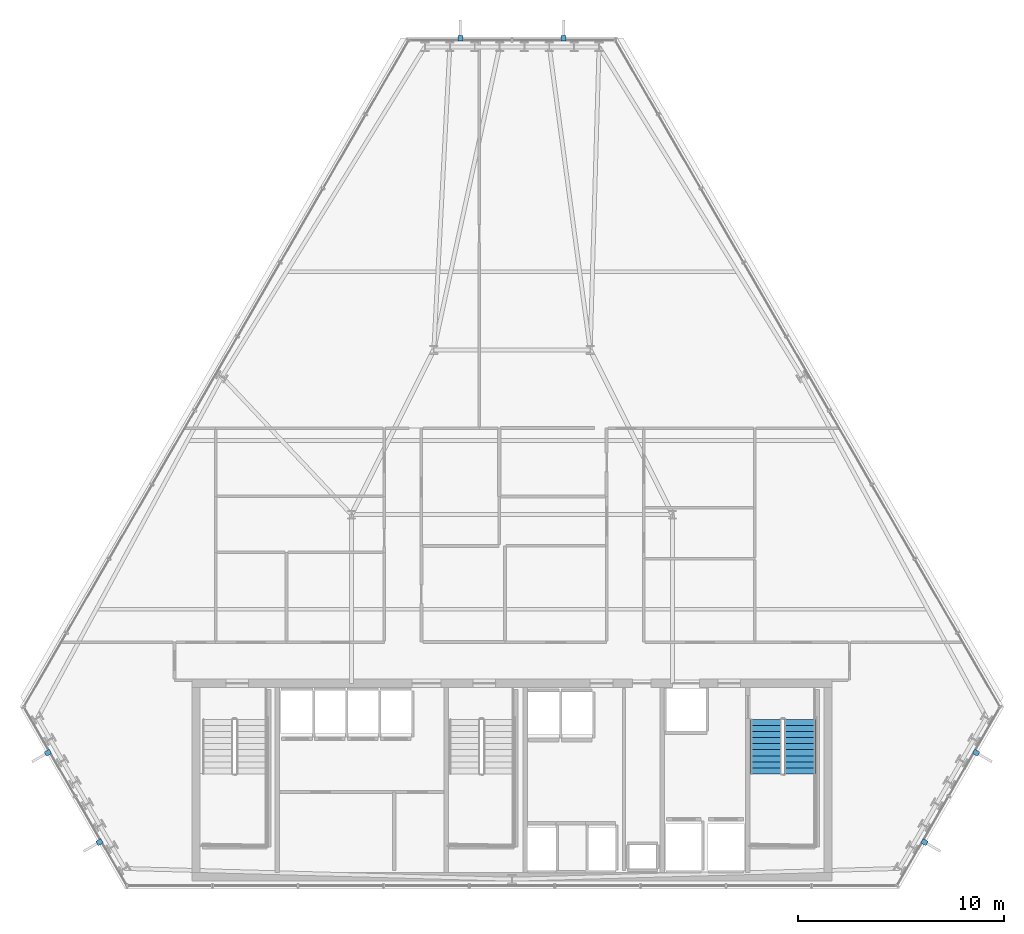
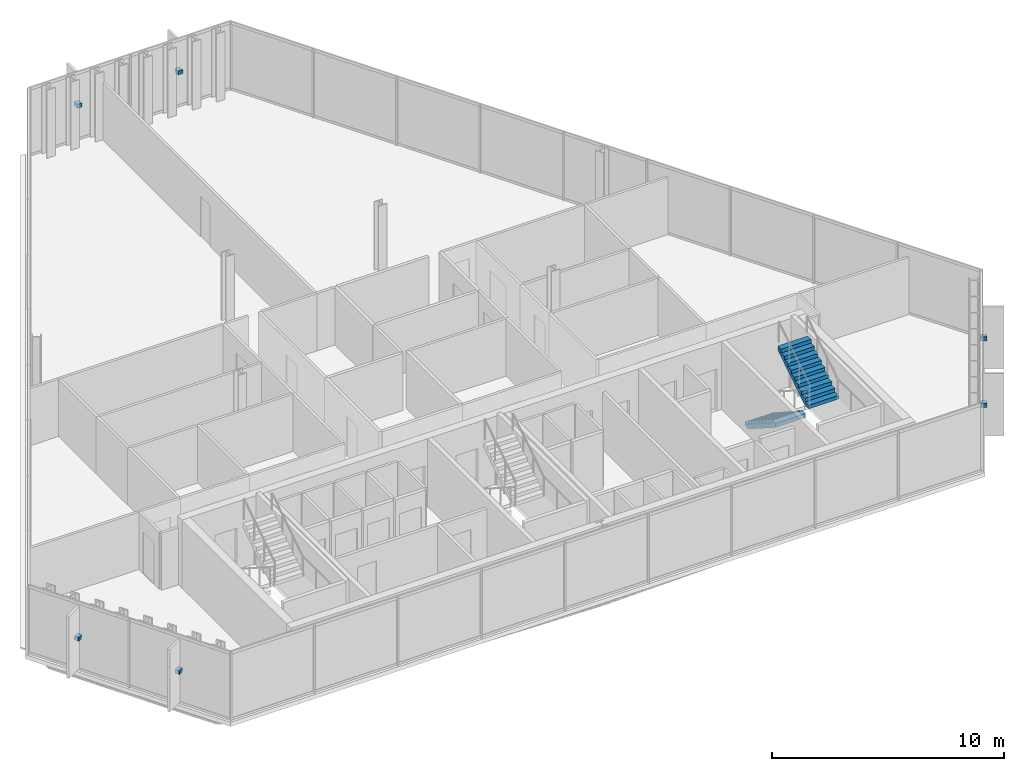
# One storey, part 31 of 35: 6 discrete accessories, 2 stair flights, 1 element without a shape of its own.
"""IFC4 building model written with IfcOpenShell, lengths in metres."""

from ifc_helpers import new_model, si_unit, direction, frame, origin, origin_2d, place, context, subcontext, project, spatial, polyline, rectangle, outline, extrude, material, type_object, element, aggregate, save


model = new_model("IFC4")

# Units and contexts
model_context = context("Model", 3, precision=1e-05, world=origin(), true_north=direction((0.0, 1.0)))
body_context = subcontext(model_context, "Body", "Model", "MODEL_VIEW")
ifc_project = project(units=[si_unit("LENGTHUNIT", "METRE"), si_unit("AREAUNIT", "SQUARE_METRE"), si_unit("VOLUMEUNIT", "CUBIC_METRE"), si_unit("PLANEANGLEUNIT", "RADIAN"), si_unit("MASSUNIT", "GRAM", prefix="KILO")], contexts=[model_context])

# Site, building, storey
site_placement = place(None, origin())
site = spatial("IfcSite", under=ifc_project, at=site_placement, CompositionType="ELEMENT")
building_placement = place(site_placement, origin())
building = spatial("IfcBuilding", under=site, at=building_placement, Name="Ndaravel Arena Tower", CompositionType="ELEMENT")
storey_placement = place(building_placement, frame((0.0, 0.0, 172.60009765625)))
storey = spatial("IfcBuildingStorey", under=building, at=storey_placement, Name="L41", CompositionType="ELEMENT", Elevation=172.60009765625)

# Stair, stair flights
ifc_material_1 = material(Name="Concrete C40/50", Category="concrete")
stair_type = type_object("IfcStairType", Name="STAIR-CORE-HT", PredefinedType="HALF_TURN_STAIR", material=ifc_material_1)
stair_placement = place(storey_placement, origin())
stair = element("IfcStair", 1, at=stair_placement, inside=storey, type_object=stair_type, Name="L41 ST-3", PredefinedType="HALF_TURN_STAIR")
ifc_material_2 = material(Name="Concrete C40/50", Category="concrete")
stair_flight_type = type_object("IfcStairFlightType", Name="SFLIGHT-CORE-1680", PredefinedType="STRAIGHT", material=ifc_material_2)
stair_flight_1_placement = place(storey_placement, frame((54.35009765625, 13.25, 0.0), z_axis=(0.0, 0.0, 1.0), x_axis=(0.0, -1.0, 0.0)))
stair_flight_1 = element("IfcStairFlight", 2, at=stair_flight_1_placement, type_object=stair_flight_type, Name="ST-3 flight 1", NumberOfRisers=10, NumberOfTreads=9, PredefinedType="STRAIGHT", RiserHeight=0.19, TreadLength=0.295, context=body_context, shape_type="SweptSolid", body=[
    extrude(outline(polyline([(0.0, 0.0), (0.0, 0.18994140625), (0.294921875, 0.18994140625), (0.294921875, 0.3798828125), (0.590087890625, 0.3798828125), (0.590087890625, 0.570068359375), (0.885009765625, 0.570068359375), (0.885009765625, 0.760009765625), (1.179931640625, 0.760009765625), (1.179931640625, 0.949951171875), (1.47509765625, 0.949951171875), (1.47509765625, 1.139892578125), (1.77001953125, 1.139892578125), (1.77001953125, 1.330078125), (2.06494140625, 1.330078125), (2.06494140625, 1.52001953125), (2.360107421875, 1.52001953125), (2.360107421875, 1.7099609375), (2.655029296875, 1.7099609375), (2.655029296875, 1.89990234375), (2.655029296875, 1.49609375), (0.332275390625, 0.0), (0.0, 0.0)])), frame((0.0, 0.75, 0.0), z_axis=(0.0, -1.0, 0.0), x_axis=(1.0, 0.0, 0.0)), (0.0, 0.0, 1.0), 1.5),
])
stair_flight_2_placement = place(storey_placement, frame((55.989990234375, 10.594970703125, 1.89990234375), z_axis=(0.0, 0.0, 1.0), x_axis=(0.0, 1.0, 0.0)))
stair_flight_2 = element("IfcStairFlight", 3, at=stair_flight_2_placement, type_object=stair_flight_type, Name="ST-3 flight 2", NumberOfRisers=10, NumberOfTreads=9, PredefinedType="STRAIGHT", RiserHeight=0.19, TreadLength=0.295, context=body_context, shape_type="SweptSolid", body=[
    extrude(outline(polyline([(0.0, 0.0), (0.0, 0.18994140625), (0.294921875, 0.18994140625), (0.294921875, 0.3798828125), (0.590087890625, 0.3798828125), (0.590087890625, 0.570068359375), (0.885009765625, 0.570068359375), (0.885009765625, 0.760009765625), (1.179931640625, 0.760009765625), (1.179931640625, 0.949951171875), (1.47509765625, 0.949951171875), (1.47509765625, 1.139892578125), (1.77001953125, 1.139892578125), (1.77001953125, 1.330078125), (2.06494140625, 1.330078125), (2.06494140625, 1.52001953125), (2.360107421875, 1.52001953125), (2.360107421875, 1.7099609375), (2.655029296875, 1.7099609375), (2.655029296875, 1.89990234375), (2.655029296875, 1.49609375), (0.332275390625, 0.0), (0.0, 0.0)])), frame((0.0, 0.75, 0.0), z_axis=(0.0, -1.0, 0.0), x_axis=(1.0, 0.0, 0.0)), (0.0, 0.0, 1.0), 1.5),
])
aggregate(stair, [stair_flight_1, stair_flight_2])

# Discrete accessories
ifc_material_3 = material(Name="Steel S355", Category="steel")
discrete_accessory_type = type_object("IfcDiscreteAccessoryType", Name="ACC-BRACKET-FIN", PredefinedType="BRACKET", material=ifc_material_3)
for number, where, z_axis, x_axis, name in (
    (4, (62.044677734375, 7.283203125, 1.68994140625), (0.0, 0.0, 1.0), (0.866025403784, -0.5, 0.0), "L41 Mazeras Stone Solar Fin E2.1 Bracket"),
    (5, (64.55419921875, 11.629638671875, 1.68994140625), (0.0, 0.0, 1.0), (0.866025403784, -0.5, 0.0), "L41 Mazeras Stone Solar Fin E2.2 Bracket"),
    (6, (44.509521484375, 46.34814453125, 1.68994140625), (0.0, 0.0, 1.0), (0.0, 1.0, 0.0), "L41 Mazeras Stone Solar Fin E4.1 Bracket"),
    (7, (39.490478515625, 46.34814453125, 1.68994140625), (0.0, 0.0, 1.0), (0.0, 1.0, 0.0), "L41 Mazeras Stone Solar Fin E4.2 Bracket"),
    (8, (19.44580078125, 11.629638671875, 1.68994140625), (0.0, 0.0, 1.0), (-0.866025403784, -0.5, 0.0), "L41 Mazeras Stone Solar Fin E6.1 Bracket"),
    (9, (21.955322265625, 7.283203125, 1.68994140625), (0.0, 0.0, 1.0), (-0.866025403784, -0.5, 0.0), "L41 Mazeras Stone Solar Fin E6.2 Bracket"),
):
    element("IfcDiscreteAccessory", number, at=place(storey_placement, frame(where, z_axis=z_axis, x_axis=x_axis)), inside=storey, type_object=discrete_accessory_type, Name=name, PredefinedType="BRACKET", context=body_context, shape_type="SweptSolid", body=[
        extrude(rectangle(XDim=0.280029296875, YDim=0.239990234375, at=origin_2d()), origin(), (0.0, 0.0, 1.0), 0.199951171875),
    ])

save(model, "model.ifc")
